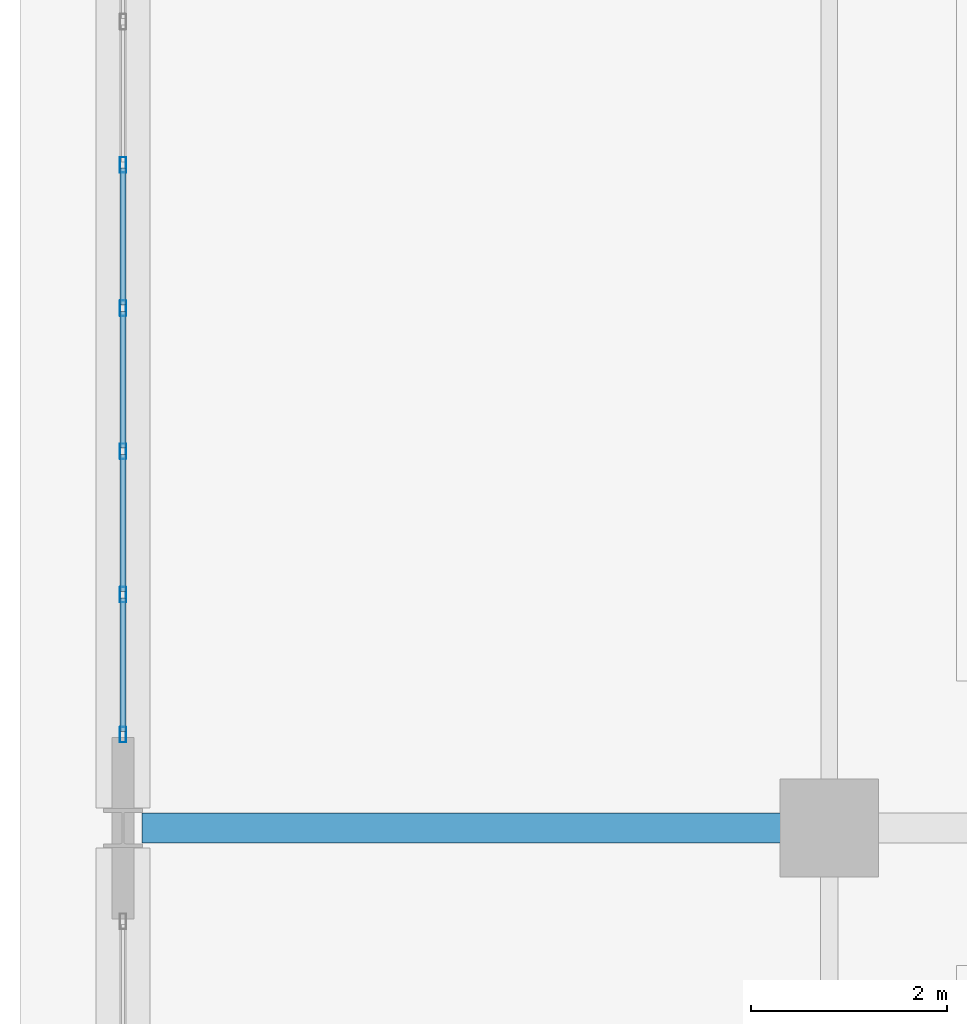
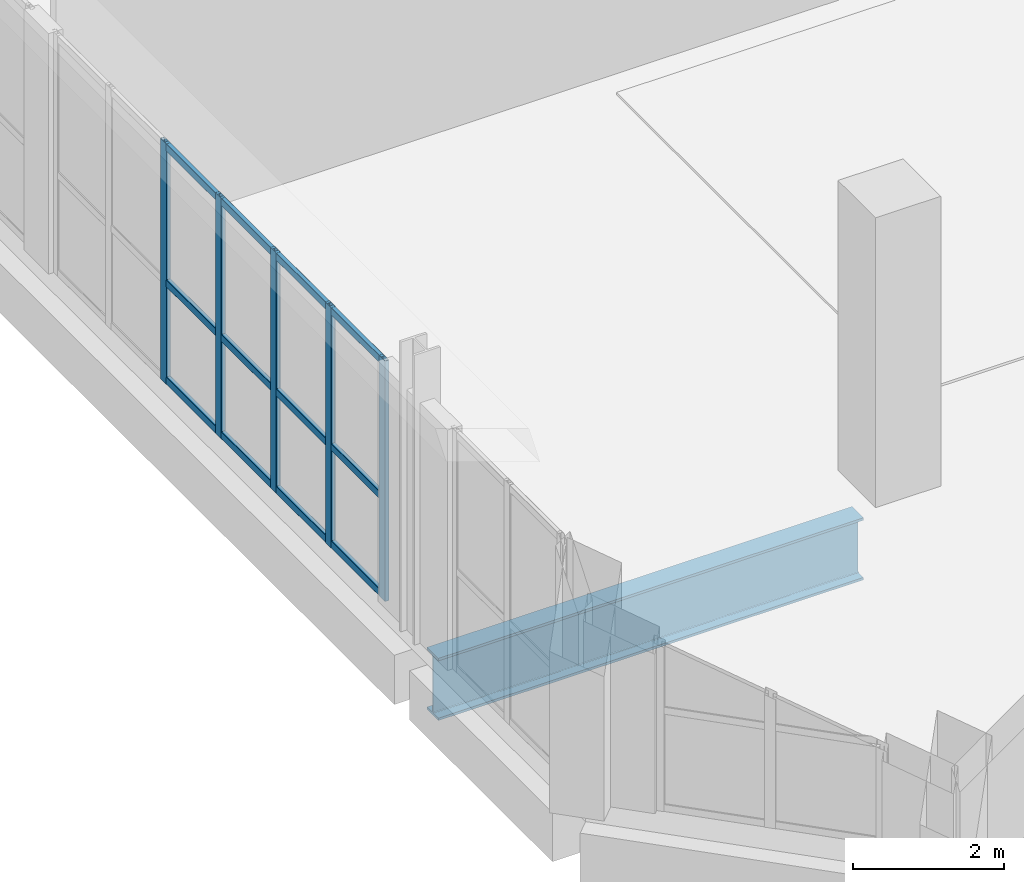
# One storey, part 6 of 36: 17 members, 1 beam, 1 element without a shape of its own.
"""IFC4 building model written with IfcOpenShell, lengths in metres."""

from ifc_helpers import new_model, si_unit, direction, frame, origin, origin_2d, place, context, subcontext, project, spatial, hollow_rectangle, i_section, extrude, material, layer, layer_set, material_profile, profile_set, type_object, element, aggregate, save


model = new_model("IFC4")

# Units and contexts
model_context = context("Model", 3, precision=1e-05, world=origin(), true_north=direction((0.0, 1.0)))
body_context = subcontext(model_context, "Body", "Model", "MODEL_VIEW")
ifc_project = project(units=[si_unit("LENGTHUNIT", "METRE"), si_unit("AREAUNIT", "SQUARE_METRE"), si_unit("VOLUMEUNIT", "CUBIC_METRE"), si_unit("PLANEANGLEUNIT", "RADIAN"), si_unit("MASSUNIT", "GRAM", prefix="KILO")], contexts=[model_context])

# Site, building, storey
site_placement = place(None, origin())
site = spatial("IfcSite", under=ifc_project, at=site_placement, CompositionType="ELEMENT")
building_placement = place(site_placement, origin())
building = spatial("IfcBuilding", under=site, at=building_placement, Name="Kaelvorn Grand Hotel", CompositionType="ELEMENT")
storey_placement = place(building_placement, frame((0.0, 0.0, 305.699951171875)))
storey = spatial("IfcBuildingStorey", under=building, at=storey_placement, Name="L74", CompositionType="ELEMENT", Elevation=305.699951171875)

# Beam
ifc_material_1 = material(Name="Steel S460", Category="steel")
ifc_material_profile_1 = material_profile(ifc_material_1, i_section(OverallWidth=0.302001953125, OverallDepth=1.008056640625, WebThickness=0.02099609375, FlangeThickness=0.0400390625, FilletRadius=0.024169921875, at=origin_2d()), Name="UB 1016x305x349")
ifc_profile_set_1 = profile_set([ifc_material_profile_1], Name="Steel S460")
beam_type = type_object("IfcBeamType", Name="BM-G-UB1016-S460", PredefinedType="BEAM", material=ifc_profile_set_1)
beam_placement = place(storey_placement, frame((9.195068359375, 15.0, -0.884033203125), z_axis=(1.0, 0.0, 0.0), x_axis=(0.0, 1.0, 0.0)))
element("IfcBeam", 1, at=beam_placement, inside=storey, type_object=beam_type, Name="L74 Primary Spine Steel Girder G-15 01", PredefinedType="BEAM", context=body_context, shape_type="SweptSolid", body=[
    extrude(i_section(OverallWidth=0.302001953125, OverallDepth=1.008056640625, WebThickness=0.02099609375, FlangeThickness=0.0400390625, FilletRadius=0.024169921875, at=origin_2d()), origin(), (0.0, 0.0, 1.0), 6.52001953125),
])

# Curtain wall, members
ifc_material_2 = material(Name="Anodised Aluminium", Category="aluminium")
ifc_layer = layer(ifc_material_2, 0.159912109375)
ifc_layer_set = layer_set([ifc_layer], Name="Anodised Aluminium")
curtain_wall_type = type_object("IfcCurtainWallType", Name="CW-SYS6", PredefinedType="NOTDEFINED", material=ifc_layer_set)
curtain_wall_placement = place(storey_placement, origin())
curtain_wall = element("IfcCurtainWall", 2, at=curtain_wall_placement, inside=storey, type_object=curtain_wall_type, Name="L74 Unitised Curtain Wall CW6 (CW-L74-W-02)", PredefinedType="NOTDEFINED")
ifc_material_profile_2 = material_profile(ifc_material_2, hollow_rectangle(XDim=0.06494140625, YDim=0.159912109375, WallThickness=0.00341796875, InnerFilletRadius=0.00341796875, OuterFilletRadius=0.007080078125, at=origin_2d()), Name="ALU MULL 65x160")
ifc_profile_set_2 = profile_set([ifc_material_profile_2], Name="Anodised Aluminium")
member_type_1 = type_object("IfcMemberType", Name="CW-SYS6-MULL", PredefinedType="MULLION", material=ifc_profile_set_2)
member_1_placement = place(storey_placement, frame((9.0, 21.760009765625, 0.0), z_axis=(0.0, 0.0, 1.0), x_axis=(1.0, 0.0, 0.0)))
member_1 = element("IfcMember", 3, at=member_1_placement, type_object=member_type_1, Name="CW6 mullion 3", PredefinedType="MULLION", context=body_context, shape_type="SweptSolid", body=[
    extrude(hollow_rectangle(XDim=0.06494140625, YDim=0.159912109375, WallThickness=0.00341796875, InnerFilletRadius=0.00341796875, OuterFilletRadius=0.007080078125, at=origin_2d()), origin(), (0.0, 0.0, 1.0), 3.900146484375),
])
member_2_placement = place(storey_placement, frame((9.0, 20.300048828125, 0.0), z_axis=(0.0, 0.0, 1.0), x_axis=(1.0, 0.0, 0.0)))
member_2 = element("IfcMember", 4, at=member_2_placement, type_object=member_type_1, Name="CW6 mullion 4", PredefinedType="MULLION", context=body_context, shape_type="SweptSolid", body=[
    extrude(hollow_rectangle(XDim=0.06494140625, YDim=0.159912109375, WallThickness=0.00341796875, InnerFilletRadius=0.00341796875, OuterFilletRadius=0.007080078125, at=origin_2d()), origin(), (0.0, 0.0, 1.0), 3.900146484375),
])
member_3_placement = place(storey_placement, frame((9.0, 18.840087890625, 0.0), z_axis=(0.0, 0.0, 1.0), x_axis=(1.0, 0.0, 0.0)))
member_3 = element("IfcMember", 5, at=member_3_placement, type_object=member_type_1, Name="CW6 mullion 5", PredefinedType="MULLION", context=body_context, shape_type="SweptSolid", body=[
    extrude(hollow_rectangle(XDim=0.06494140625, YDim=0.159912109375, WallThickness=0.00341796875, InnerFilletRadius=0.00341796875, OuterFilletRadius=0.007080078125, at=origin_2d()), origin(), (0.0, 0.0, 1.0), 3.900146484375),
])
member_4_placement = place(storey_placement, frame((9.0, 17.3798828125, 0.0), z_axis=(0.0, 0.0, 1.0), x_axis=(1.0, 0.0, 0.0)))
member_4 = element("IfcMember", 6, at=member_4_placement, type_object=member_type_1, Name="CW6 mullion 6", PredefinedType="MULLION", context=body_context, shape_type="SweptSolid", body=[
    extrude(hollow_rectangle(XDim=0.06494140625, YDim=0.159912109375, WallThickness=0.00341796875, InnerFilletRadius=0.00341796875, OuterFilletRadius=0.007080078125, at=origin_2d()), origin(), (0.0, 0.0, 1.0), 3.900146484375),
])
member_5_placement = place(storey_placement, frame((9.0, 15.952392578125, 0.0), z_axis=(0.0, 0.0, 1.0), x_axis=(1.0, 0.0, 0.0)))
member_5 = element("IfcMember", 7, at=member_5_placement, type_object=member_type_1, Name="CW6 mullion 7", PredefinedType="MULLION", context=body_context, shape_type="SweptSolid", body=[
    extrude(hollow_rectangle(XDim=0.06494140625, YDim=0.159912109375, WallThickness=0.00341796875, InnerFilletRadius=0.00341796875, OuterFilletRadius=0.007080078125, at=origin_2d()), origin(), (0.0, 0.0, 1.0), 3.900146484375),
])
ifc_material_profile_3 = material_profile(ifc_material_2, hollow_rectangle(XDim=0.06494140625, YDim=0.1201171875, WallThickness=0.00341796875, InnerFilletRadius=0.00341796875, OuterFilletRadius=0.007080078125, at=origin_2d()), Name="ALU TRAN 65x120")
ifc_profile_set_3 = profile_set([ifc_material_profile_3], Name="Anodised Aluminium")
member_type_2 = type_object("IfcMemberType", Name="CW-SYS6-TRAN", PredefinedType="NOTDEFINED", material=ifc_profile_set_3)
member_6_placement = place(storey_placement, frame((9.0, 21.7275390625, 0.06005859375), z_axis=(0.0, -1.0, 0.0), x_axis=(1.0, 0.0, 0.0)))
member_6 = element("IfcMember", 8, at=member_6_placement, type_object=member_type_2, Name="CW6 transom 3.1", ObjectType="TRANSOM", PredefinedType="USERDEFINED", context=body_context, shape_type="SweptSolid", body=[
    extrude(hollow_rectangle(XDim=0.06494140625, YDim=0.1201171875, WallThickness=0.00341796875, InnerFilletRadius=0.00341796875, OuterFilletRadius=0.007080078125, at=origin_2d()), origin(), (0.0, 0.0, 1.0), 1.39501953125),
])
member_7_placement = place(storey_placement, frame((9.0, 21.7275390625, 1.637939453125), z_axis=(0.0, -1.0, 0.0), x_axis=(1.0, 0.0, 0.0)))
member_7 = element("IfcMember", 9, at=member_7_placement, type_object=member_type_2, Name="CW6 transom 3.2", ObjectType="TRANSOM", PredefinedType="USERDEFINED", context=body_context, shape_type="SweptSolid", body=[
    extrude(hollow_rectangle(XDim=0.06494140625, YDim=0.1201171875, WallThickness=0.00341796875, InnerFilletRadius=0.00341796875, OuterFilletRadius=0.007080078125, at=origin_2d()), origin(), (0.0, 0.0, 1.0), 1.39501953125),
])
member_8_placement = place(storey_placement, frame((9.0, 21.7275390625, 3.840087890625), z_axis=(0.0, -1.0, 0.0), x_axis=(1.0, 0.0, 0.0)))
member_8 = element("IfcMember", 10, at=member_8_placement, type_object=member_type_2, Name="CW6 transom 3.3", ObjectType="TRANSOM", PredefinedType="USERDEFINED", context=body_context, shape_type="SweptSolid", body=[
    extrude(hollow_rectangle(XDim=0.06494140625, YDim=0.1201171875, WallThickness=0.00341796875, InnerFilletRadius=0.00341796875, OuterFilletRadius=0.007080078125, at=origin_2d()), origin(), (0.0, 0.0, 1.0), 1.39501953125),
])
member_9_placement = place(storey_placement, frame((9.0, 20.267578125, 0.06005859375), z_axis=(0.0, -1.0, 0.0), x_axis=(1.0, 0.0, 0.0)))
member_9 = element("IfcMember", 11, at=member_9_placement, type_object=member_type_2, Name="CW6 transom 4.1", ObjectType="TRANSOM", PredefinedType="USERDEFINED", context=body_context, shape_type="SweptSolid", body=[
    extrude(hollow_rectangle(XDim=0.06494140625, YDim=0.1201171875, WallThickness=0.00341796875, InnerFilletRadius=0.00341796875, OuterFilletRadius=0.007080078125, at=origin_2d()), origin(), (0.0, 0.0, 1.0), 1.39501953125),
])
member_10_placement = place(storey_placement, frame((9.0, 20.267578125, 1.637939453125), z_axis=(0.0, -1.0, 0.0), x_axis=(1.0, 0.0, 0.0)))
member_10 = element("IfcMember", 12, at=member_10_placement, type_object=member_type_2, Name="CW6 transom 4.2", ObjectType="TRANSOM", PredefinedType="USERDEFINED", context=body_context, shape_type="SweptSolid", body=[
    extrude(hollow_rectangle(XDim=0.06494140625, YDim=0.1201171875, WallThickness=0.00341796875, InnerFilletRadius=0.00341796875, OuterFilletRadius=0.007080078125, at=origin_2d()), origin(), (0.0, 0.0, 1.0), 1.39501953125),
])
member_11_placement = place(storey_placement, frame((9.0, 20.267578125, 3.840087890625), z_axis=(0.0, -1.0, 0.0), x_axis=(1.0, 0.0, 0.0)))
member_11 = element("IfcMember", 13, at=member_11_placement, type_object=member_type_2, Name="CW6 transom 4.3", ObjectType="TRANSOM", PredefinedType="USERDEFINED", context=body_context, shape_type="SweptSolid", body=[
    extrude(hollow_rectangle(XDim=0.06494140625, YDim=0.1201171875, WallThickness=0.00341796875, InnerFilletRadius=0.00341796875, OuterFilletRadius=0.007080078125, at=origin_2d()), origin(), (0.0, 0.0, 1.0), 1.39501953125),
])
member_12_placement = place(storey_placement, frame((9.0, 18.8076171875, 0.06005859375), z_axis=(0.0, -1.0, 0.0), x_axis=(1.0, 0.0, 0.0)))
member_12 = element("IfcMember", 14, at=member_12_placement, type_object=member_type_2, Name="CW6 transom 5.1", ObjectType="TRANSOM", PredefinedType="USERDEFINED", context=body_context, shape_type="SweptSolid", body=[
    extrude(hollow_rectangle(XDim=0.06494140625, YDim=0.1201171875, WallThickness=0.00341796875, InnerFilletRadius=0.00341796875, OuterFilletRadius=0.007080078125, at=origin_2d()), origin(), (0.0, 0.0, 1.0), 1.39501953125),
])
member_13_placement = place(storey_placement, frame((9.0, 18.8076171875, 1.637939453125), z_axis=(0.0, -1.0, 0.0), x_axis=(1.0, 0.0, 0.0)))
member_13 = element("IfcMember", 15, at=member_13_placement, type_object=member_type_2, Name="CW6 transom 5.2", ObjectType="TRANSOM", PredefinedType="USERDEFINED", context=body_context, shape_type="SweptSolid", body=[
    extrude(hollow_rectangle(XDim=0.06494140625, YDim=0.1201171875, WallThickness=0.00341796875, InnerFilletRadius=0.00341796875, OuterFilletRadius=0.007080078125, at=origin_2d()), origin(), (0.0, 0.0, 1.0), 1.39501953125),
])
member_14_placement = place(storey_placement, frame((9.0, 18.8076171875, 3.840087890625), z_axis=(0.0, -1.0, 0.0), x_axis=(1.0, 0.0, 0.0)))
member_14 = element("IfcMember", 16, at=member_14_placement, type_object=member_type_2, Name="CW6 transom 5.3", ObjectType="TRANSOM", PredefinedType="USERDEFINED", context=body_context, shape_type="SweptSolid", body=[
    extrude(hollow_rectangle(XDim=0.06494140625, YDim=0.1201171875, WallThickness=0.00341796875, InnerFilletRadius=0.00341796875, OuterFilletRadius=0.007080078125, at=origin_2d()), origin(), (0.0, 0.0, 1.0), 1.39501953125),
])
member_15_placement = place(storey_placement, frame((9.0, 17.347412109375, 0.06005859375), z_axis=(0.0, -1.0, 0.0), x_axis=(1.0, 0.0, 0.0)))
member_15 = element("IfcMember", 17, at=member_15_placement, type_object=member_type_2, Name="CW6 transom 6.1", ObjectType="TRANSOM", PredefinedType="USERDEFINED", context=body_context, shape_type="SweptSolid", body=[
    extrude(hollow_rectangle(XDim=0.06494140625, YDim=0.1201171875, WallThickness=0.00341796875, InnerFilletRadius=0.00341796875, OuterFilletRadius=0.007080078125, at=origin_2d()), origin(), (0.0, 0.0, 1.0), 1.3623046875),
])
member_16_placement = place(storey_placement, frame((9.0, 17.347412109375, 1.637939453125), z_axis=(0.0, -1.0, 0.0), x_axis=(1.0, 0.0, 0.0)))
member_16 = element("IfcMember", 18, at=member_16_placement, type_object=member_type_2, Name="CW6 transom 6.2", ObjectType="TRANSOM", PredefinedType="USERDEFINED", context=body_context, shape_type="SweptSolid", body=[
    extrude(hollow_rectangle(XDim=0.06494140625, YDim=0.1201171875, WallThickness=0.00341796875, InnerFilletRadius=0.00341796875, OuterFilletRadius=0.007080078125, at=origin_2d()), origin(), (0.0, 0.0, 1.0), 1.3623046875),
])
member_17_placement = place(storey_placement, frame((9.0, 17.347412109375, 3.840087890625), z_axis=(0.0, -1.0, 0.0), x_axis=(1.0, 0.0, 0.0)))
member_17 = element("IfcMember", 19, at=member_17_placement, type_object=member_type_2, Name="CW6 transom 6.3", ObjectType="TRANSOM", PredefinedType="USERDEFINED", context=body_context, shape_type="SweptSolid", body=[
    extrude(hollow_rectangle(XDim=0.06494140625, YDim=0.1201171875, WallThickness=0.00341796875, InnerFilletRadius=0.00341796875, OuterFilletRadius=0.007080078125, at=origin_2d()), origin(), (0.0, 0.0, 1.0), 1.3623046875),
])
aggregate(curtain_wall, [member_1, member_2, member_3, member_4, member_5, member_6, member_7, member_8, member_9, member_10, member_11, member_12, member_13, member_14, member_15, member_16, member_17])

save(model, "model.ifc")
